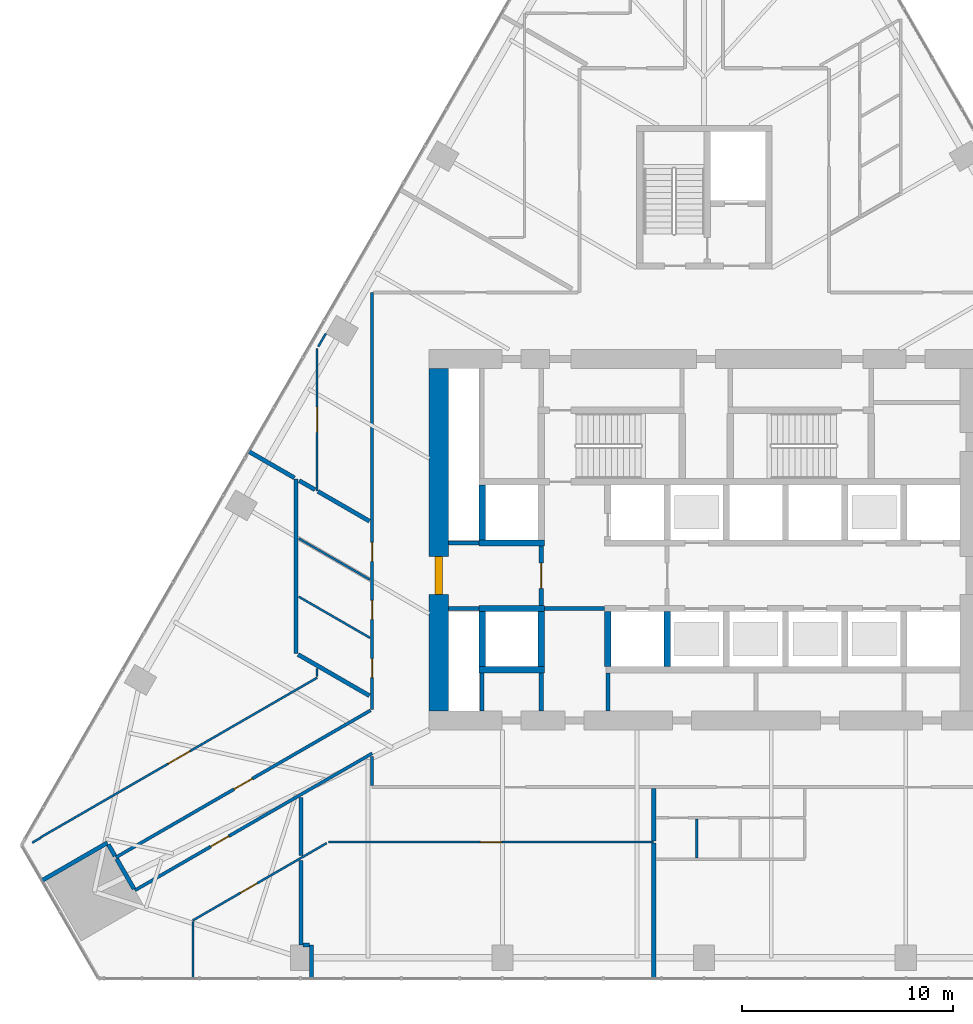
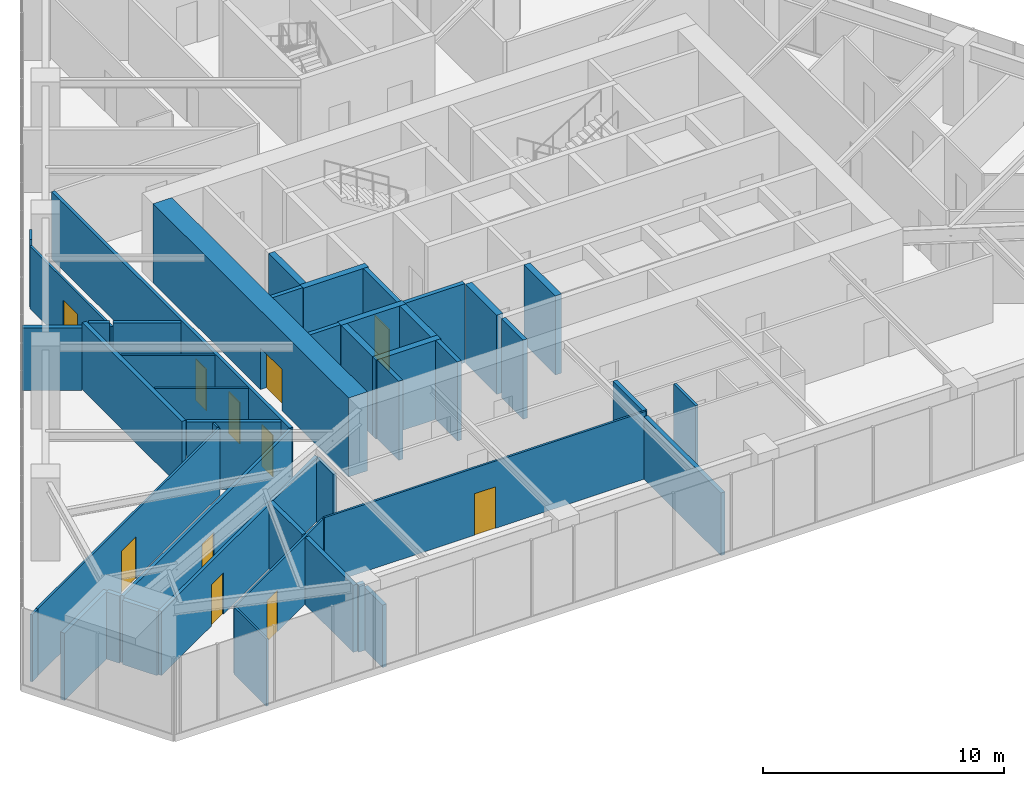
# One storey, part 19 of 25: 45 walls, 11 doors, 11 openings.
"""IFC4 building model written with IfcOpenShell, lengths in metres."""

from ifc_helpers import new_model, si_unit, direction, frame, frame_2d, origin, place, context, subcontext, project, spatial, rectangle, extrude, material, layer, layer_set, type_object, element, fill, save


model = new_model("IFC4")

# Units and contexts
model_context = context("Model", 3, precision=1e-05, world=origin(), true_north=direction((0.0, 1.0)))
body_context = subcontext(model_context, "Body", "Model", "MODEL_VIEW")
ifc_project = project(units=[si_unit("LENGTHUNIT", "METRE"), si_unit("AREAUNIT", "SQUARE_METRE"), si_unit("VOLUMEUNIT", "CUBIC_METRE"), si_unit("PLANEANGLEUNIT", "RADIAN"), si_unit("MASSUNIT", "GRAM", prefix="KILO")], contexts=[model_context])

# Site, building, storey
site_placement = place(None, origin())
site = spatial("IfcSite", under=ifc_project, at=site_placement, CompositionType="ELEMENT")
building_placement = place(site_placement, origin())
building = spatial("IfcBuilding", under=site, at=building_placement, Name="Firuza Gate Tower and Library", CompositionType="ELEMENT")
storey_placement = place(building_placement, frame((0.0, 0.0, 61.0)))
storey = spatial("IfcBuildingStorey", under=building, at=storey_placement, Name="L13", CompositionType="ELEMENT", Elevation=61.0)

# Walls
ifc_material_1 = material(Name="Plasterboard on steel studs", Category="steel")
ifc_layer_1 = layer(ifc_material_1, 0.199951171875)
ifc_layer_set_1 = layer_set([ifc_layer_1], Name="Core partition 200 EI 120")
wall_type_1 = type_object("IfcWallType", Name="Core partition 200 EI 120", PredefinedType="PARTITIONING", material=ifc_layer_set_1)
for number, where, z_axis, x_axis, name in (
    (1, (62.89990234375, 71.75, 0.0), (0.0, 0.0, 1.0), (1.0, 0.0, 0.0), "Core partition L13 1"),
    (2, (62.89990234375, 74.85009765625, 0.0), (0.0, 0.0, 1.0), (1.0, 0.0, 0.0), "Core partition L13 3"),
):
    element("IfcWall", number, at=place(storey_placement, frame(where, z_axis=z_axis, x_axis=x_axis)), inside=storey, type_object=wall_type_1, Name=name, PredefinedType="PARTITIONING", context=body_context, shape_type="SweptSolid", body=[
        extrude(rectangle(XDim=1.4501953125, YDim=0.199951171875, at=frame_2d((0.72509765625, 0.0))), origin(), (0.0, 0.0, 1.0), 4.0),
    ])
for number, where, z_axis, x_axis, name in (
    (3, (64.5, 66.89990234375, 0.0), (0.0, 0.0, 1.0), (0.0, 1.0, 0.0), "Core partition L13 5"),
    (4, (67.300048828125, 66.89990234375, 0.0), (0.0, 0.0, 1.0), (0.0, 1.0, 0.0), "Core partition L13 7"),
    (5, (70.449951171875, 66.89990234375, 0.0), (0.0, 0.0, 1.0), (0.0, 1.0, 0.0), "Core partition L13 10"),
):
    element("IfcWall", number, at=place(storey_placement, frame(where, z_axis=z_axis, x_axis=x_axis)), inside=storey, type_object=wall_type_1, Name=name, PredefinedType="PARTITIONING", context=body_context, shape_type="SweptSolid", body=[
        extrude(rectangle(XDim=1.800048828125, YDim=0.199951171875, at=frame_2d((0.89990234375, 0.0))), origin(), (0.0, 0.0, 1.0), 4.0),
    ])
ifc_material_2 = material(Name="Plasterboard on steel studs", Category="steel")
ifc_layer_2 = layer(ifc_material_2, 0.199951171875)
ifc_layer_set_2 = layer_set([ifc_layer_2], Name="Core partition 200 EI 60")
wall_type_2 = type_object("IfcWallType", Name="Core partition 200 EI 60", PredefinedType="PARTITIONING", material=ifc_layer_set_2)
wall_1_placement = place(storey_placement, frame((67.449951171875, 71.75, 0.0), z_axis=(0.0, 0.0, 1.0), x_axis=(1.0, 0.0, 0.0)))
element("IfcWall", 6, at=wall_1_placement, inside=storey, type_object=wall_type_2, Name="Core partition L13 2", PredefinedType="PARTITIONING", context=body_context, shape_type="SweptSolid", body=[
    extrude(rectangle(XDim=2.85009765625, YDim=0.199951171875, at=frame_2d((1.425048828125, 0.0))), origin(), (0.0, 0.0, 1.0), 4.0),
])

# Wall, opening, door
wall_2_placement = place(storey_placement, frame((67.300048828125, 71.89990234375, 0.0), z_axis=(0.0, 0.0, 1.0), x_axis=(0.0, 1.0, 0.0)))
wall_2 = element("IfcWall", 7, at=wall_2_placement, inside=storey, type_object=wall_type_2, Name="Core partition L13 8", PredefinedType="PARTITIONING", context=body_context, shape_type="SweptSolid", body=[
    extrude(rectangle(XDim=2.800048828125, YDim=0.199951171875, at=frame_2d((1.39990234375, 0.0))), origin(), (0.0, 0.0, 1.0), 4.0),
])
opening_1_placement = place(wall_2_placement, frame((0.800048828125, 0.0, 0.0)))
opening_1 = element("IfcOpeningElement", 8, at=opening_1_placement, cuts=wall_2, Name="Opening L13-K21", PredefinedType="OPENING", context=body_context, shape_type="SweptSolid", body=[
    extrude(rectangle(XDim=1.199951171875, YDim=2.10009765625, at=frame_2d((0.60009765625, 1.050048828125))), frame((0.0, 0.10986328125, 0.0), z_axis=(0.0, -1.0, 0.0), x_axis=(1.0, 0.0, 0.0)), (0.0, 0.0, 1.0), 0.219970703125),
])
ifc_material_3 = material(Name="Steel", Category="steel")
door_type_1 = type_object("IfcDoorType", Name="Fire door 1200x2100 FD90S", OperationType="NOTDEFINED", PredefinedType="DOOR", material=ifc_material_3)
door_1_placement = place(opening_1_placement, origin())
door_1 = element("IfcDoor", 9, at=door_1_placement, inside=storey, type_object=door_type_1, Name="Door L13-K21", OperationType="SINGLE_SWING_RIGHT", OverallHeight=2.10009765625, OverallWidth=1.199951171875, PredefinedType="DOOR", context=body_context, shape_type="SweptSolid", body=[
    extrude(rectangle(XDim=1.199951171875, YDim=2.10009765625, at=frame_2d((0.60009765625, 1.050048828125))), frame((0.0, 0.02490234375, 0.0), z_axis=(0.0, -1.0, 0.0), x_axis=(1.0, 0.0, 0.0)), (0.0, 0.0, 1.0), 0.050048828125),
])
fill(opening_1, door_1)

# Walls
ifc_material_4 = material(Name="Concrete C80/95", Category="concrete")
ifc_layer_3 = layer(ifc_material_4, 0.300048828125)
ifc_layer_set_3 = layer_set([ifc_layer_3], Name="Core wall 300 C80/95")
wall_type_3 = type_object("IfcWallType", Name="Core wall 300 C80/95", PredefinedType="SHEAR", material=ifc_layer_set_3)
for number, where, z_axis, x_axis, name in (
    (10, (64.35009765625, 68.85009765625, 0.0), (0.0, 0.0, 1.0), (1.0, 0.0, 0.0), "Core wall L13 5"),
    (11, (64.35009765625, 71.75, 0.0), (0.0, 0.0, 1.0), (1.0, 0.0, 0.0), "Core wall L13 7"),
    (12, (64.35009765625, 74.85009765625, 0.0), (0.0, 0.0, 1.0), (1.0, 0.0, 0.0), "Core wall L13 9"),
):
    element("IfcWall", number, at=place(storey_placement, frame(where, z_axis=z_axis, x_axis=x_axis)), inside=storey, type_object=wall_type_3, Name=name, PredefinedType="SHEAR", context=body_context, shape_type="SweptSolid", body=[
        extrude(rectangle(XDim=3.099853515625, YDim=0.300048828125, at=frame_2d((1.5498046875, 0.0))), origin(), (0.0, 0.0, 1.0), 4.0),
    ])
for number, where, z_axis, x_axis, name in (
    (13, (64.5, 69.0, 0.0), (0.0, 0.0, 1.0), (0.0, 1.0, 0.0), "Core wall L13 11"),
    (14, (64.5, 75.0, 0.0), (0.0, 0.0, 1.0), (0.0, 1.0, 0.0), "Core wall L13 12"),
    (15, (67.300048828125, 69.0, 0.0), (0.0, 0.0, 1.0), (0.0, 1.0, 0.0), "Core wall L13 13"),
    (16, (70.449951171875, 69.0, 0.0), (0.0, 0.0, 1.0), (0.0, 1.0, 0.0), "Core wall L13 15"),
    (17, (73.25, 69.0, 0.0), (0.0, 0.0, 1.0), (0.0, 1.0, 0.0), "Core wall L13 17"),
):
    element("IfcWall", number, at=place(storey_placement, frame(where, z_axis=z_axis, x_axis=x_axis)), inside=storey, type_object=wall_type_3, Name=name, PredefinedType="SHEAR", context=body_context, shape_type="SweptSolid", body=[
        extrude(rectangle(XDim=2.60009765625, YDim=0.300048828125, at=frame_2d((1.300048828125, 0.0))), origin(), (0.0, 0.0, 1.0), 4.0),
    ])

# Wall, opening, door
ifc_material_5 = material(Name="Concrete C80/95", Category="concrete")
ifc_layer_4 = layer(ifc_material_5, 0.89990234375)
ifc_layer_set_4 = layer_set([ifc_layer_4], Name="Core wall 900 C80/95")
wall_type_4 = type_object("IfcWallType", Name="Core wall 900 C80/95", PredefinedType="SHEAR", material=ifc_layer_set_4)
wall_3_placement = place(storey_placement, frame((62.449951171875, 66.89990234375, 0.0), z_axis=(0.0, 0.0, 1.0), x_axis=(0.0, 1.0, 0.0)))
wall_3 = element("IfcWall", 18, at=wall_3_placement, inside=storey, type_object=wall_type_4, Name="Core wall L13 3", PredefinedType="SHEAR", context=body_context, shape_type="SweptSolid", body=[
    extrude(rectangle(XDim=16.2001953125, YDim=0.89990234375, at=frame_2d((8.10009765625, 0.0))), origin(), (0.0, 0.0, 1.0), 4.0),
])
opening_2_placement = place(wall_3_placement, frame((5.5, 0.0, 0.0)))
opening_2 = element("IfcOpeningElement", 19, at=opening_2_placement, cuts=wall_3, Name="Opening L13-K22", PredefinedType="OPENING", context=body_context, shape_type="SweptSolid", body=[
    extrude(rectangle(XDim=1.800048828125, YDim=2.10009765625, at=frame_2d((0.89990234375, 1.050048828125))), frame((0.0, 0.4599609375, 0.0), z_axis=(0.0, -1.0, 0.0), x_axis=(1.0, 0.0, 0.0)), (0.0, 0.0, 1.0), 0.919921875),
])
ifc_material_6 = material(Name="Steel", Category="steel")
door_type_2 = type_object("IfcDoorType", Name="Fire door 1800x2100 FD30S", OperationType="NOTDEFINED", PredefinedType="DOOR", material=ifc_material_6)
door_2_placement = place(opening_2_placement, origin())
door_2 = element("IfcDoor", 20, at=door_2_placement, inside=storey, type_object=door_type_2, Name="Door L13-K22", OperationType="SINGLE_SWING_LEFT", OverallHeight=2.10009765625, OverallWidth=1.800048828125, PredefinedType="DOOR", context=body_context, shape_type="SweptSolid", body=[
    extrude(rectangle(XDim=1.800048828125, YDim=2.10009765625, at=frame_2d((0.89990234375, 1.050048828125))), frame((0.0, 0.169921875, 0.0), z_axis=(0.0, -1.0, 0.0), x_axis=(1.0, 0.0, 0.0)), (0.0, 0.0, 1.0), 0.33984375),
])
fill(opening_2, door_2)

ifc_material_7 = material(Name="Gypsum board partition")
ifc_layer_5 = layer(ifc_material_7, 0.14990234375)
ifc_layer_set_5 = layer_set([ifc_layer_5], Name="Corridor wall 150 double board on steel studs")
wall_type_5 = type_object("IfcWallType", Name="Corridor wall 150 double board on steel studs", PredefinedType="PARTITIONING", material=ifc_layer_set_5)
wall_4_placement = place(storey_placement, frame((59.300048828125, 64.896484375, 0.0), z_axis=(0.0, 0.0, 1.0), x_axis=(-0.86602302899, -0.500004113243, 0.0)))
wall_4 = element("IfcWall", 21, at=wall_4_placement, inside=storey, type_object=wall_type_5, Name="f:L13:w017", PredefinedType="PARTITIONING", context=body_context, shape_type="SweptSolid", body=[
    extrude(rectangle(XDim=12.95556640625, YDim=0.14990234375, at=frame_2d((6.477783203125, 0.0))), origin(), (0.0, 0.0, 1.0), 3.2470703125),
])
opening_3_placement = place(wall_4_placement, frame((7.8212890625, 0.0, 0.0)))
opening_3 = element("IfcOpeningElement", 22, at=opening_3_placement, cuts=wall_4, Name="Opening L13-14", PredefinedType="OPENING", context=body_context, shape_type="SweptSolid", body=[
    extrude(rectangle(XDim=1.0, YDim=2.10009765625, at=frame_2d((0.5, 1.050048828125))), frame((0.0, 0.0849609375, 0.0), z_axis=(0.0, -1.0, 0.0), x_axis=(1.0, 0.0, 0.0)), (0.0, 0.0, 1.0), 0.169921875),
])
ifc_material_8 = material(Name="Steel door and timber leaf", Category="steel")
door_type_3 = type_object("IfcDoorType", Name="Fire door 1000 x 2100 steel frame, timber leaf", OperationType="NOTDEFINED", PredefinedType="DOOR", material=ifc_material_8)
door_3_placement = place(opening_3_placement, origin())
door_3 = element("IfcDoor", 23, at=door_3_placement, inside=storey, type_object=door_type_3, Name="f:L13:d014", OperationType="SINGLE_SWING_RIGHT", OverallHeight=2.10009765625, OverallWidth=1.0, PredefinedType="DOOR", context=body_context, shape_type="SweptSolid", body=[
    extrude(rectangle(XDim=1.0, YDim=2.10009765625, at=frame_2d((0.5, 1.050048828125))), frame((0.0, 0.02490234375, 0.0), z_axis=(0.0, -1.0, 0.0), x_axis=(1.0, 0.0, 0.0)), (0.0, 0.0, 1.0), 0.050048828125),
])
fill(opening_3, door_3)

wall_5_placement = place(storey_placement, frame((47.17822265625, 59.976318359375, 0.0), z_axis=(0.0, 0.0, 1.0), x_axis=(0.866019280802, 0.500010605167, 0.0)))
wall_5 = element("IfcWall", 24, at=wall_5_placement, inside=storey, type_object=wall_type_5, Name="f:L13:w018", PredefinedType="PARTITIONING", context=body_context, shape_type="SweptSolid", body=[
    extrude(rectangle(XDim=13.910400390625, YDim=0.14990234375, at=frame_2d((6.955078125, 0.0))), origin(), (0.0, 0.0, 1.0), 3.39990234375),
])
opening_4_placement = place(wall_5_placement, frame((6.455322265625, 0.0, 0.0)))
opening_4 = element("IfcOpeningElement", 25, at=opening_4_placement, cuts=wall_5, Name="Opening L13-15", PredefinedType="OPENING", context=body_context, shape_type="SweptSolid", body=[
    extrude(rectangle(XDim=1.0, YDim=2.10009765625, at=frame_2d((0.5, 1.050048828125))), frame((0.0, 0.0849609375, 0.0), z_axis=(0.0, -1.0, 0.0), x_axis=(1.0, 0.0, 0.0)), (0.0, 0.0, 1.0), 0.169921875),
])
door_4_placement = place(opening_4_placement, origin())
door_4 = element("IfcDoor", 26, at=door_4_placement, inside=storey, type_object=door_type_3, Name="f:L13:d015", OperationType="SINGLE_SWING_LEFT", OverallHeight=2.10009765625, OverallWidth=1.0, PredefinedType="DOOR", context=body_context, shape_type="SweptSolid", body=[
    extrude(rectangle(XDim=1.0, YDim=2.10009765625, at=frame_2d((0.5, 1.050048828125))), frame((0.0, 0.02490234375, 0.0), z_axis=(0.0, -1.0, 0.0), x_axis=(1.0, 0.0, 0.0)), (0.0, 0.0, 1.0), 0.050048828125),
])
fill(opening_4, door_4)

# Wall
wall_6_placement = place(storey_placement, frame((59.300048828125, 63.375, 0.0), z_axis=(0.0, 0.0, 1.0), x_axis=(0.0, 1.0, 0.0)))
element("IfcWall", 27, at=wall_6_placement, inside=storey, type_object=wall_type_5, Name="f:L13:w045", PredefinedType="PARTITIONING", context=body_context, shape_type="SweptSolid", body=[
    extrude(rectangle(XDim=1.384765625, YDim=0.14990234375, at=frame_2d((0.6923828125, 0.0))), origin(), (0.0, 0.0, 1.0), 3.2470703125),
])

# Wall, openings, doors
wall_7_placement = place(storey_placement, frame((59.300048828125, 66.974853515625, 0.0), z_axis=(0.0, 0.0, 1.0), x_axis=(0.0, 1.0, 0.0)))
wall_7 = element("IfcWall", 28, at=wall_7_placement, inside=storey, type_object=wall_type_5, Name="f:L13:w046", PredefinedType="PARTITIONING", context=body_context, shape_type="SweptSolid", body=[
    extrude(rectangle(XDim=19.724609375, YDim=0.14990234375, at=frame_2d((9.8623046875, 0.0))), origin(), (0.0, 0.0, 1.0), 3.39990234375),
])
opening_5_placement = place(wall_7_placement, frame((1.501708984375, 0.0, 0.0)))
opening_5 = element("IfcOpeningElement", 29, at=opening_5_placement, cuts=wall_7, Name="Opening L13-29", PredefinedType="OPENING", context=body_context, shape_type="SweptSolid", body=[
    extrude(rectangle(XDim=0.89990234375, YDim=2.10009765625, at=frame_2d((0.449951171875, 1.050048828125))), frame((0.0, 0.0849609375, 0.0), z_axis=(0.0, -1.0, 0.0), x_axis=(1.0, 0.0, 0.0)), (0.0, 0.0, 1.0), 0.169921875),
])
opening_6_placement = place(wall_7_placement, frame((4.254150390625, 0.0, 0.0)))
opening_6 = element("IfcOpeningElement", 30, at=opening_6_placement, cuts=wall_7, Name="Opening L13-30", PredefinedType="OPENING", context=body_context, shape_type="SweptSolid", body=[
    extrude(rectangle(XDim=0.89990234375, YDim=2.10009765625, at=frame_2d((0.449951171875, 1.050048828125))), frame((0.0, 0.0849609375, 0.0), z_axis=(0.0, -1.0, 0.0), x_axis=(1.0, 0.0, 0.0)), (0.0, 0.0, 1.0), 0.169921875),
])
opening_7_placement = place(wall_7_placement, frame((7.006591796875, 0.0, 0.0)))
opening_7 = element("IfcOpeningElement", 31, at=opening_7_placement, cuts=wall_7, Name="Opening L13-31", PredefinedType="OPENING", context=body_context, shape_type="SweptSolid", body=[
    extrude(rectangle(XDim=0.89990234375, YDim=2.10009765625, at=frame_2d((0.449951171875, 1.050048828125))), frame((0.0, 0.0849609375, 0.0), z_axis=(0.0, -1.0, 0.0), x_axis=(1.0, 0.0, 0.0)), (0.0, 0.0, 1.0), 0.169921875),
])
ifc_material_9 = material(Name="Steel door and timber leaf", Category="steel")
door_type_4 = type_object("IfcDoorType", Name="Fire door 900 x 2100 steel frame, timber leaf", OperationType="NOTDEFINED", PredefinedType="DOOR", material=ifc_material_9)
door_5_placement = place(opening_5_placement, origin())
door_5 = element("IfcDoor", 32, at=door_5_placement, inside=storey, type_object=door_type_4, Name="f:L13:d029", OperationType="SINGLE_SWING_LEFT", OverallHeight=2.10009765625, OverallWidth=0.89990234375, PredefinedType="DOOR", context=body_context, shape_type="SweptSolid", body=[
    extrude(rectangle(XDim=0.89990234375, YDim=2.10009765625, at=frame_2d((0.449951171875, 1.050048828125))), frame((0.0, 0.02490234375, 0.0), z_axis=(0.0, -1.0, 0.0), x_axis=(1.0, 0.0, 0.0)), (0.0, 0.0, 1.0), 0.050048828125),
])
fill(opening_5, door_5)
door_6_placement = place(opening_6_placement, origin())
door_6 = element("IfcDoor", 33, at=door_6_placement, inside=storey, type_object=door_type_4, Name="f:L13:d030", OperationType="SINGLE_SWING_RIGHT", OverallHeight=2.10009765625, OverallWidth=0.89990234375, PredefinedType="DOOR", context=body_context, shape_type="SweptSolid", body=[
    extrude(rectangle(XDim=0.89990234375, YDim=2.10009765625, at=frame_2d((0.449951171875, 1.050048828125))), frame((0.0, 0.02490234375, 0.0), z_axis=(0.0, -1.0, 0.0), x_axis=(1.0, 0.0, 0.0)), (0.0, 0.0, 1.0), 0.050048828125),
])
fill(opening_6, door_6)
door_7_placement = place(opening_7_placement, origin())
door_7 = element("IfcDoor", 34, at=door_7_placement, inside=storey, type_object=door_type_4, Name="f:L13:d031", OperationType="SINGLE_SWING_LEFT", OverallHeight=2.10009765625, OverallWidth=0.89990234375, PredefinedType="DOOR", context=body_context, shape_type="SweptSolid", body=[
    extrude(rectangle(XDim=0.89990234375, YDim=2.10009765625, at=frame_2d((0.449951171875, 1.050048828125))), frame((0.0, 0.02490234375, 0.0), z_axis=(0.0, -1.0, 0.0), x_axis=(1.0, 0.0, 0.0)), (0.0, 0.0, 1.0), 0.050048828125),
])
fill(opening_7, door_7)

# Walls
ifc_material_10 = material(Name="Gypsum board partition")
ifc_layer_6 = layer(ifc_material_10, 0.199951171875)
ifc_layer_set_6 = layer_set([ifc_layer_6], Name="Demising wall 200 acoustic double stud")
wall_type_6 = type_object("IfcWallType", Name="Demising wall 200 acoustic double stud", PredefinedType="PARTITIONING", material=ifc_layer_set_6)
wall_8_placement = place(storey_placement, frame((56.031005859375, 55.8291015625, 0.0), z_axis=(0.0, 0.0, 1.0), x_axis=(1.0, 0.0, 0.0)))
element("IfcWall", 35, at=wall_8_placement, inside=storey, type_object=wall_type_6, Name="f:L13:w000", PredefinedType="PARTITIONING", context=body_context, shape_type="SweptSolid", body=[
    extrude(rectangle(XDim=0.299560546875, YDim=0.199951171875, at=frame_2d((0.14990234375, 0.0))), origin(), (0.0, 0.0, 1.0), 3.39990234375),
])
wall_9_placement = place(storey_placement, frame((43.69482421875, 58.888427734375, 0.0), z_axis=(0.0, 0.0, 1.0), x_axis=(0.866031398331, 0.499989616998, 0.0)))
element("IfcWall", 36, at=wall_9_placement, inside=storey, type_object=wall_type_6, Name="f:L13:w019", PredefinedType="PARTITIONING", context=body_context, shape_type="SweptSolid", body=[
    extrude(rectangle(XDim=3.5595703125, YDim=0.199951171875, at=frame_2d((1.77978515625, 0.0))), origin(), (0.0, 0.0, 1.0), 3.39990234375),
])
wall_10_placement = place(storey_placement, frame((72.615966796875, 54.268798828125, 0.0), z_axis=(0.0, 0.0, 1.0), x_axis=(0.0, 1.0, 0.0)))
element("IfcWall", 37, at=wall_10_placement, inside=storey, type_object=wall_type_6, Name="f:L13:w040", PredefinedType="PARTITIONING", context=body_context, shape_type="SweptSolid", body=[
    extrude(rectangle(XDim=6.381103515625, YDim=0.199951171875, at=frame_2d((3.1904296875, 0.0))), origin(), (0.0, 0.0, 1.0), 3.1650390625),
])
wall_11_placement = place(storey_placement, frame((56.430908203125, 54.268798828125, 0.0), z_axis=(0.0, 0.0, 1.0), x_axis=(0.0, 1.0, 0.0)))
element("IfcWall", 38, at=wall_11_placement, inside=storey, type_object=wall_type_6, Name="f:L13:w049", PredefinedType="PARTITIONING", context=body_context, shape_type="SweptSolid", body=[
    extrude(rectangle(XDim=1.5595703125, YDim=0.199951171875, at=frame_2d((0.77978515625, 0.0))), origin(), (0.0, 0.0, 1.0), 3.1650390625),
])
wall_12_placement = place(storey_placement, frame((55.930908203125, 55.828857421875, 0.0), z_axis=(0.0, 0.0, 1.0), x_axis=(0.0, 1.0, 0.0)))
element("IfcWall", 39, at=wall_12_placement, inside=storey, type_object=wall_type_6, Name="f:L13:w050", PredefinedType="PARTITIONING", context=body_context, shape_type="SweptSolid", body=[
    extrude(rectangle(XDim=4.0048828125, YDim=0.199951171875, at=frame_2d((2.00244140625, 0.0))), origin(), (0.0, 0.0, 1.0), 3.39990234375),
])
wall_13_placement = place(storey_placement, frame((55.699951171875, 69.629638671875, 0.0), z_axis=(0.0, 0.0, 1.0), x_axis=(0.0, 1.0, 0.0)))
element("IfcWall", 40, at=wall_13_placement, inside=storey, type_object=wall_type_6, Name="f:L13:w051", PredefinedType="PARTITIONING", context=body_context, shape_type="SweptSolid", body=[
    extrude(rectangle(XDim=8.255859375, YDim=0.199951171875, at=frame_2d((4.1279296875, 0.0))), origin(), (0.0, 0.0, 1.0), 3.39990234375),
])
wall_14_placement = place(storey_placement, frame((48.03857421875, 58.484619140625, 0.0), z_axis=(0.0, 0.0, 1.0), x_axis=(-0.499949127178, 0.86605477323, 0.0)))
element("IfcWall", 41, at=wall_14_placement, inside=storey, type_object=wall_type_6, Name="f:L13:w053", PredefinedType="PARTITIONING", context=body_context, shape_type="SweptSolid", body=[
    extrude(rectangle(XDim=1.647216796875, YDim=0.199951171875, at=frame_2d((0.82373046875, 0.0))), origin(), (0.0, 0.0, 1.0), 3.2470703125),
])
wall_15_placement = place(storey_placement, frame((59.173095703125, 75.880615234375, 0.0), z_axis=(0.0, 0.0, 1.0), x_axis=(-0.866049697453, 0.499957919771, 0.0)))
element("IfcWall", 42, at=wall_15_placement, inside=storey, type_object=wall_type_6, Name="f:L13:w062", PredefinedType="PARTITIONING", context=body_context, shape_type="SweptSolid", body=[
    extrude(rectangle(XDim=2.812255859375, YDim=0.199951171875, at=frame_2d((1.40625, 0.0))), origin(), (0.0, 0.0, 1.0), 3.39990234375),
])
wall_16_placement = place(storey_placement, frame((59.1728515625, 67.623291015625, 0.0), z_axis=(0.0, 0.0, 1.0), x_axis=(-0.866000809756, 0.500042595688, 0.0)))
element("IfcWall", 43, at=wall_16_placement, inside=storey, type_object=wall_type_6, Name="f:L13:w065", PredefinedType="PARTITIONING", context=body_context, shape_type="SweptSolid", body=[
    extrude(rectangle(XDim=3.894775390625, YDim=0.199951171875, at=frame_2d((1.947265625, 0.0))), origin(), (0.0, 0.0, 1.0), 3.39990234375),
])
wall_17_placement = place(storey_placement, frame((72.615966796875, 60.75, 0.0), z_axis=(0.0, 0.0, 1.0), x_axis=(0.0, 1.0, 0.0)))
element("IfcWall", 44, at=wall_17_placement, inside=storey, type_object=wall_type_6, Name="f:L13:w066", PredefinedType="PARTITIONING", context=body_context, shape_type="SweptSolid", body=[
    extrude(rectangle(XDim=2.47509765625, YDim=0.199951171875, at=frame_2d((1.237548828125, 0.0))), origin(), (0.0, 0.0, 1.0), 3.39990234375),
])
wall_18_placement = place(storey_placement, frame((55.930908203125, 60.064697265625, 0.0), z_axis=(0.0, 0.0, 1.0), x_axis=(0.0, 1.0, 0.0)))
element("IfcWall", 45, at=wall_18_placement, inside=storey, type_object=wall_type_6, Name="f:L13:w071", PredefinedType="PARTITIONING", context=body_context, shape_type="SweptSolid", body=[
    extrude(rectangle(XDim=2.739990234375, YDim=0.199951171875, at=frame_2d((1.3701171875, 0.0))), origin(), (0.0, 0.0, 1.0), 3.39990234375),
])
wall_19_placement = place(storey_placement, frame((47.14013671875, 60.041015625, 0.0), z_axis=(0.0, 0.0, 1.0), x_axis=(-0.500049599607, 0.865996765544, 0.0)))
element("IfcWall", 46, at=wall_19_placement, inside=storey, type_object=wall_type_6, Name="f:L13:w072", PredefinedType="PARTITIONING", context=body_context, shape_type="SweptSolid", body=[
    extrude(rectangle(XDim=0.62451171875, YDim=0.199951171875, at=frame_2d((0.312255859375, 0.0))), origin(), (0.0, 0.0, 1.0), 3.39990234375),
])
wall_20_placement = place(storey_placement, frame((56.60009765625, 77.3662109375, 0.0), z_axis=(0.0, 0.0, 1.0), x_axis=(-0.866101087359, 0.499868889286, 0.0)))
element("IfcWall", 47, at=wall_20_placement, inside=storey, type_object=wall_type_6, Name="f:L13:w077", PredefinedType="PARTITIONING", context=body_context, shape_type="SweptSolid", body=[
    extrude(rectangle(XDim=0.865966796875, YDim=0.199951171875, at=frame_2d((0.43310546875, 0.0))), origin(), (0.0, 0.0, 1.0), 3.39990234375),
])
wall_21_placement = place(storey_placement, frame((55.625, 77.928955078125, 0.0), z_axis=(0.0, 0.0, 1.0), x_axis=(-0.86602376425, 0.500002839747, 0.0)))
element("IfcWall", 48, at=wall_21_placement, inside=storey, type_object=wall_type_6, Name="f:L13:w078", PredefinedType="PARTITIONING", context=body_context, shape_type="SweptSolid", body=[
    extrude(rectangle(XDim=2.4873046875, YDim=0.199951171875, at=frame_2d((1.24365234375, 0.0))), origin(), (0.0, 0.0, 1.0), 3.1650390625),
])

# Wall, opening, door
ifc_material_11 = material(Name="Gypsum board partition")
ifc_layer_7 = layer(ifc_material_11, 0.10009765625)
ifc_layer_set_7 = layer_set([ifc_layer_7], Name="Partition 100 gypsum board on steel studs")
wall_type_7 = type_object("IfcWallType", Name="Partition 100 gypsum board on steel studs", PredefinedType="PARTITIONING", material=ifc_layer_set_7)
wall_22_placement = place(storey_placement, frame((57.231689453125, 60.699951171875, 0.0), z_axis=(0.0, 0.0, 1.0), x_axis=(1.0, 0.0, 0.0)))
wall_22 = element("IfcWall", 49, at=wall_22_placement, inside=storey, type_object=wall_type_7, Name="f:L13:w002", PredefinedType="PARTITIONING", context=body_context, shape_type="SweptSolid", body=[
    extrude(rectangle(XDim=15.384765625, YDim=0.10009765625, at=frame_2d((7.6923828125, 0.0))), origin(), (0.0, 0.0, 1.0), 3.39990234375),
])
opening_8_placement = place(wall_22_placement, frame((7.1923828125, 0.0, 0.0)))
opening_8 = element("IfcOpeningElement", 50, at=opening_8_placement, cuts=wall_22, Name="Opening L13-01", PredefinedType="OPENING", context=body_context, shape_type="SweptSolid", body=[
    extrude(rectangle(XDim=1.0, YDim=2.10009765625, at=frame_2d((0.5, 1.050048828125))), frame((0.0, 0.06005859375, 0.0), z_axis=(0.0, -1.0, 0.0), x_axis=(1.0, 0.0, 0.0)), (0.0, 0.0, 1.0), 0.1201171875),
])
ifc_material_12 = material(Name="Timber door", Category="wood")
door_type_5 = type_object("IfcDoorType", Name="Door 1000 x 2100 timber leaf", OperationType="NOTDEFINED", PredefinedType="DOOR", material=ifc_material_12)
door_8_placement = place(opening_8_placement, origin())
door_8 = element("IfcDoor", 51, at=door_8_placement, inside=storey, type_object=door_type_5, Name="f:L13:d001", OperationType="SINGLE_SWING_LEFT", OverallHeight=2.10009765625, OverallWidth=1.0, PredefinedType="DOOR", context=body_context, shape_type="SweptSolid", body=[
    extrude(rectangle(XDim=1.0, YDim=2.10009765625, at=frame_2d((0.5, 1.050048828125))), frame((0.0, 0.02490234375, 0.0), z_axis=(0.0, -1.0, 0.0), x_axis=(1.0, 0.0, 0.0)), (0.0, 0.0, 1.0), 0.050048828125),
])
fill(opening_8, door_8)

wall_23_placement = place(storey_placement, frame((50.818603515625, 56.99755859375, 0.0), z_axis=(0.0, 0.0, 1.0), x_axis=(0.866023631393, 0.50000306986, 0.0)))
wall_23 = element("IfcWall", 52, at=wall_23_placement, inside=storey, type_object=wall_type_7, Name="f:L13:w016", PredefinedType="PARTITIONING", context=body_context, shape_type="SweptSolid", body=[
    extrude(rectangle(XDim=7.30517578125, YDim=0.10009765625, at=frame_2d((3.652587890625, 0.0))), origin(), (0.0, 0.0, 1.0), 3.39990234375),
])
opening_9_placement = place(wall_23_placement, frame((2.6015625, 0.0, 0.0)))
opening_9 = element("IfcOpeningElement", 53, at=opening_9_placement, cuts=wall_23, Name="Opening L13-13", PredefinedType="OPENING", context=body_context, shape_type="SweptSolid", body=[
    extrude(rectangle(XDim=0.89990234375, YDim=2.10009765625, at=frame_2d((0.449951171875, 1.050048828125))), frame((0.0, 0.06005859375, 0.0), z_axis=(0.0, -1.0, 0.0), x_axis=(1.0, 0.0, 0.0)), (0.0, 0.0, 1.0), 0.1201171875),
])
ifc_material_13 = material(Name="Timber door", Category="wood")
door_type_6 = type_object("IfcDoorType", Name="Door 900 x 2100 timber leaf", OperationType="NOTDEFINED", PredefinedType="DOOR", material=ifc_material_13)
door_9_placement = place(opening_9_placement, origin())
door_9 = element("IfcDoor", 54, at=door_9_placement, inside=storey, type_object=door_type_6, Name="f:L13:d013", OperationType="SINGLE_SWING_RIGHT", OverallHeight=2.10009765625, OverallWidth=0.89990234375, PredefinedType="DOOR", context=body_context, shape_type="SweptSolid", body=[
    extrude(rectangle(XDim=0.89990234375, YDim=2.10009765625, at=frame_2d((0.449951171875, 1.050048828125))), frame((0.0, 0.02490234375, 0.0), z_axis=(0.0, -1.0, 0.0), x_axis=(1.0, 0.0, 0.0)), (0.0, 0.0, 1.0), 0.050048828125),
])
fill(opening_9, door_9)

# Wall
wall_24_placement = place(storey_placement, frame((43.22607421875, 60.673828125, 0.0), z_axis=(0.0, 0.0, 1.0), x_axis=(0.866073792734, 0.499916178513, 0.0)))
element("IfcWall", 55, at=wall_24_placement, inside=storey, type_object=wall_type_7, Name="f:L13:w020", PredefinedType="PARTITIONING", context=body_context, shape_type="SweptSolid", body=[
    extrude(rectangle(XDim=0.47265625, YDim=0.10009765625, at=frame_2d((0.236328125, 0.0))), origin(), (0.0, 0.0, 1.0), 3.39990234375),
])

# Wall, opening, door
wall_25_placement = place(storey_placement, frame((56.69970703125, 68.475830078125, 0.0), z_axis=(0.0, 0.0, 1.0), x_axis=(-0.866026152489, -0.499998703203, 0.0)))
wall_25 = element("IfcWall", 56, at=wall_25_placement, inside=storey, type_object=wall_type_7, Name="f:L13:w021", PredefinedType="PARTITIONING", context=body_context, shape_type="SweptSolid", body=[
    extrude(rectangle(XDim=15.09619140625, YDim=0.10009765625, at=frame_2d((7.548095703125, 0.0))), origin(), (0.0, 0.0, 1.0), 3.39990234375),
])
opening_10_placement = place(wall_25_placement, frame((6.947998046875, 0.0, 0.0)))
opening_10 = element("IfcOpeningElement", 57, at=opening_10_placement, cuts=wall_25, Name="Opening L13-16", PredefinedType="OPENING", context=body_context, shape_type="SweptSolid", body=[
    extrude(rectangle(XDim=1.199951171875, YDim=2.10009765625, at=frame_2d((0.60009765625, 1.050048828125))), frame((0.0, 0.06005859375, 0.0), z_axis=(0.0, -1.0, 0.0), x_axis=(1.0, 0.0, 0.0)), (0.0, 0.0, 1.0), 0.1201171875),
])
ifc_material_14 = material(Name="Glazed aluminium door", Category="aluminium")
door_type_7 = type_object("IfcDoorType", Name="Door 1200 x 2100 glazed double leaf", OperationType="NOTDEFINED", PredefinedType="DOOR", material=ifc_material_14)
door_10_placement = place(opening_10_placement, origin())
door_10 = element("IfcDoor", 58, at=door_10_placement, inside=storey, type_object=door_type_7, Name="f:L13:d016", OperationType="DOUBLE_DOOR_SINGLE_SWING", OverallHeight=2.10009765625, OverallWidth=1.199951171875, PredefinedType="DOOR", context=body_context, shape_type="SweptSolid", body=[
    extrude(rectangle(XDim=1.199951171875, YDim=2.10009765625, at=frame_2d((0.60009765625, 1.050048828125))), frame((0.0, 0.02490234375, 0.0), z_axis=(0.0, -1.0, 0.0), x_axis=(1.0, 0.0, 0.0)), (0.0, 0.0, 1.0), 0.050048828125),
])
fill(opening_10, door_10)

# Walls
wall_26_placement = place(storey_placement, frame((56.750244140625, 84.132080078125, 0.0), z_axis=(0.0, 0.0, 1.0), x_axis=(0.49987987985, 0.866094744079, 0.0)))
element("IfcWall", 59, at=wall_26_placement, inside=storey, type_object=wall_type_7, Name="f:L13:w027", PredefinedType="PARTITIONING", context=body_context, shape_type="SweptSolid", body=[
    extrude(rectangle(XDim=0.716064453125, YDim=0.10009765625, at=frame_2d((0.35791015625, 0.0))), origin(), (0.0, 0.0, 1.0), 3.39990234375),
])
wall_27_placement = place(storey_placement, frame((56.699951171875, 68.533935546875, 0.0), z_axis=(0.0, 0.0, 1.0), x_axis=(0.0, 1.0, 0.0)))
element("IfcWall", 60, at=wall_27_placement, inside=storey, type_object=wall_type_7, Name="f:L13:w047", PredefinedType="PARTITIONING", context=body_context, shape_type="SweptSolid", body=[
    extrude(rectangle(XDim=0.371826171875, YDim=0.10009765625, at=frame_2d((0.18603515625, 0.0))), origin(), (0.0, 0.0, 1.0), 3.39990234375),
])

# Wall, opening, door
wall_28_placement = place(storey_placement, frame((56.699951171875, 84.045654296875, 0.0), z_axis=(0.0, 0.0, 1.0), x_axis=(0.0, -1.0, 0.0)))
wall_28 = element("IfcWall", 61, at=wall_28_placement, inside=storey, type_object=wall_type_7, Name="f:L13:w048", PredefinedType="PARTITIONING", context=body_context, shape_type="SweptSolid", body=[
    extrude(rectangle(XDim=6.7373046875, YDim=0.10009765625, at=frame_2d((3.36865234375, 0.0))), origin(), (0.0, 0.0, 1.0), 3.1650390625),
])
opening_11_placement = place(wall_28_placement, frame((2.7685546875, 0.0, 0.0)))
opening_11 = element("IfcOpeningElement", 62, at=opening_11_placement, cuts=wall_28, Name="Opening L13-32", PredefinedType="OPENING", context=body_context, shape_type="SweptSolid", body=[
    extrude(rectangle(XDim=1.199951171875, YDim=2.10009765625, at=frame_2d((0.60009765625, 1.050048828125))), frame((0.0, 0.06005859375, 0.0), z_axis=(0.0, -1.0, 0.0), x_axis=(1.0, 0.0, 0.0)), (0.0, 0.0, 1.0), 0.1201171875),
])
door_11_placement = place(opening_11_placement, origin())
door_11 = element("IfcDoor", 63, at=door_11_placement, inside=storey, type_object=door_type_7, Name="f:L13:d032", OperationType="DOUBLE_DOOR_SINGLE_SWING", OverallHeight=2.10009765625, OverallWidth=1.199951171875, PredefinedType="DOOR", context=body_context, shape_type="SweptSolid", body=[
    extrude(rectangle(XDim=1.199951171875, YDim=2.10009765625, at=frame_2d((0.60009765625, 1.050048828125))), frame((0.0, 0.02490234375, 0.0), z_axis=(0.0, -1.0, 0.0), x_axis=(1.0, 0.0, 0.0)), (0.0, 0.0, 1.0), 0.050048828125),
])
fill(opening_11, door_11)

# Walls
wall_29_placement = place(storey_placement, frame((50.819091796875, 54.268798828125, 0.0), z_axis=(0.0, 0.0, 1.0), x_axis=(0.0, 1.0, 0.0)))
element("IfcWall", 64, at=wall_29_placement, inside=storey, type_object=wall_type_7, Name="f:L13:w052", PredefinedType="PARTITIONING", context=body_context, shape_type="SweptSolid", body=[
    extrude(rectangle(XDim=2.6708984375, YDim=0.10009765625, at=frame_2d((1.33544921875, 0.0))), origin(), (0.0, 0.0, 1.0), 3.39990234375),
])
wall_30_placement = place(storey_placement, frame((59.19873046875, 73.11279296875, 0.0), z_axis=(0.0, 0.0, 1.0), x_axis=(-0.866016482536, 0.500015451737, 0.0)))
element("IfcWall", 65, at=wall_30_placement, inside=storey, type_object=wall_type_7, Name="f:L13:w063", PredefinedType="PARTITIONING", context=body_context, shape_type="SweptSolid", body=[
    extrude(rectangle(XDim=3.89501953125, YDim=0.10009765625, at=frame_2d((1.947509765625, 0.0))), origin(), (0.0, 0.0, 1.0), 3.39990234375),
])
wall_31_placement = place(storey_placement, frame((59.19921875, 70.361083984375, 0.0), z_axis=(0.0, 0.0, 1.0), x_axis=(-0.866043624834, 0.499968438888, 0.0)))
element("IfcWall", 66, at=wall_31_placement, inside=storey, type_object=wall_type_7, Name="f:L13:w064", PredefinedType="PARTITIONING", context=body_context, shape_type="SweptSolid", body=[
    extrude(rectangle(XDim=3.894775390625, YDim=0.10009765625, at=frame_2d((1.947265625, 0.0))), origin(), (0.0, 0.0, 1.0), 3.39990234375),
])
ifc_material_15 = material(Name="Gypsum board partition")
ifc_layer_8 = layer(ifc_material_15, 0.1201171875)
ifc_layer_set_8 = layer_set([ifc_layer_8], Name="Wet-area partition 120 moisture-resistant board")
wall_type_8 = type_object("IfcWallType", Name="Wet-area partition 120 moisture-resistant board", PredefinedType="PARTITIONING", material=ifc_layer_set_8)
wall_32_placement = place(storey_placement, frame((74.658935546875, 59.9599609375, 0.0), z_axis=(0.0, 0.0, 1.0), x_axis=(0.0, 1.0, 0.0)))
element("IfcWall", 67, at=wall_32_placement, inside=storey, type_object=wall_type_8, Name="f:L13:w037", PredefinedType="PARTITIONING", context=body_context, shape_type="SweptSolid", body=[
    extrude(rectangle(XDim=1.830078125, YDim=0.1201171875, at=frame_2d((0.9150390625, 0.0))), origin(), (0.0, 0.0, 1.0), 3.39990234375),
])

save(model, "model.ifc")
